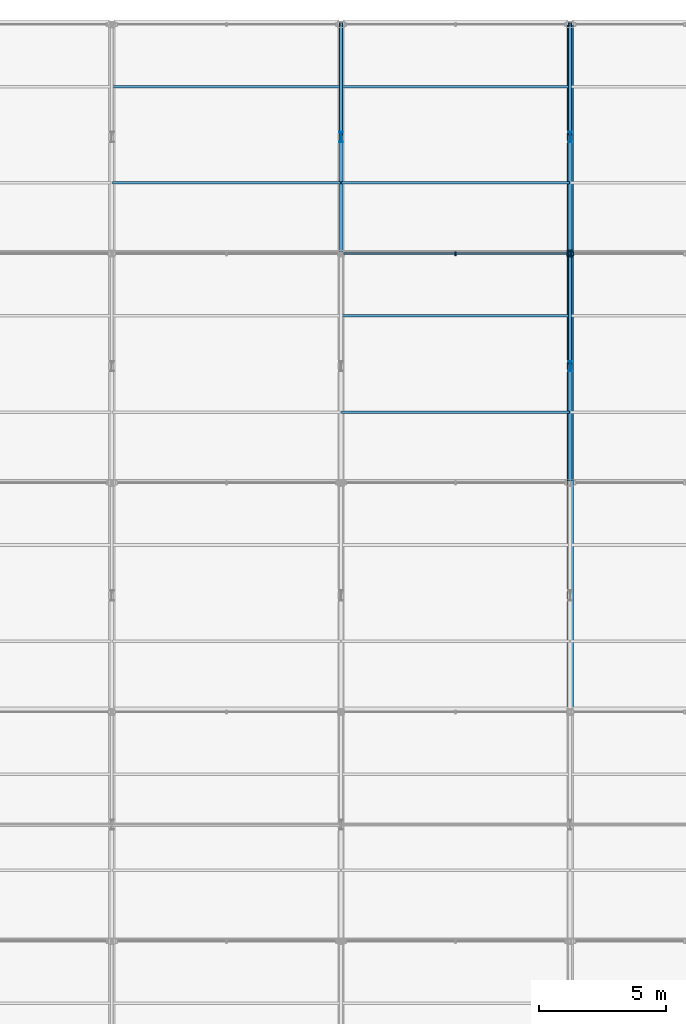
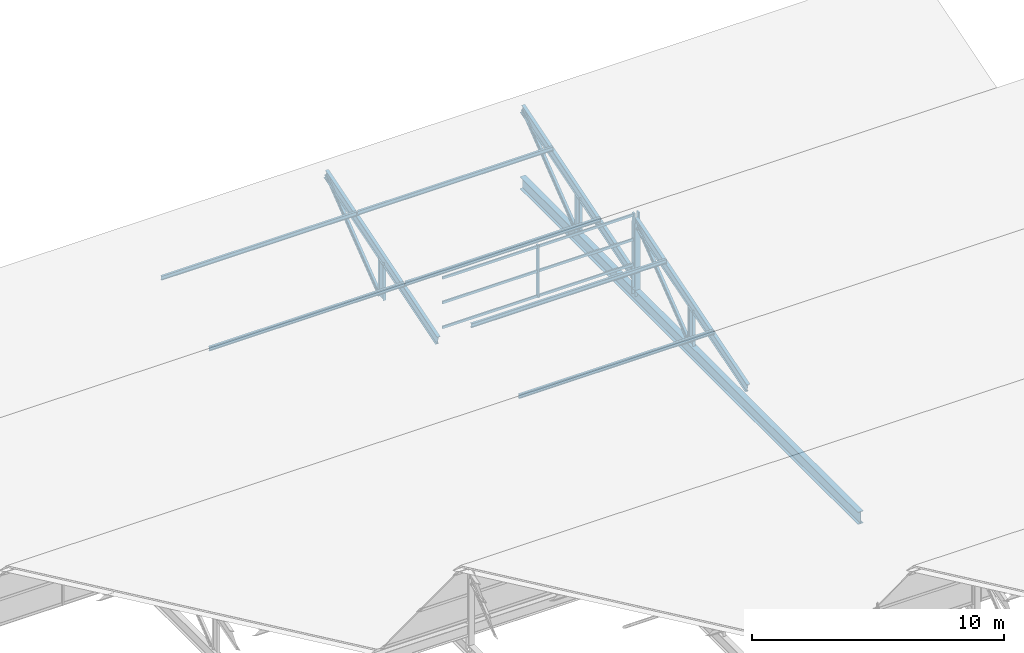
# One storey, part 103 of 163: 25 members, 1 beam, 2 elements without a shape of their own.
"""IFC4 building model written with IfcOpenShell, lengths in metres."""

import ifcopenshell
import ifcopenshell.guid

model = None  # the IFC model being written
_history = None  # IfcOwnerHistory: only IFC2X3 demands one
_inside = {}  # id of a spatial element -> (the spatial element, [elements in it])
_under = {}  # id of a project, library or spatial element -> (it, [spatial elements below it])
_declared = {}  # id of a project -> (the project, [libraries it declares])
_typed = {}  # id of a type object -> (the type object, [elements of that type])
_made_of = {}  # id of a material, layer set ... -> (it, [elements and type objects made of it])


def new_model(schema):
    """Start an empty IFC model of exactly this schema.

    Asked for "IFC4X3", IfcOpenShell would pick the latest addendum, in which some entities
    have other attributes; the version numbers below select the first issue.
    IFC2X3 requires an IfcOwnerHistory on every rooted entity: one is made here for all.
    """
    global model, _history
    if schema == "IFC4X3":
        model = ifcopenshell.file(schema_version=(4, 3, 0, 0))
    else:
        model = ifcopenshell.file(schema=schema)
    _inside.clear()
    _under.clear()
    _declared.clear()
    _typed.clear()
    _made_of.clear()
    _history = None
    if model.schema == "IFC2X3":
        org = make("IfcOrganization", Name="unknown")
        user = make(
            "IfcPersonAndOrganization",
            ThePerson=make("IfcPerson", FamilyName="unknown"),
            TheOrganization=org,
        )
        app = make(
            "IfcApplication",
            ApplicationDeveloper=org,
            Version="unknown",
            ApplicationFullName="unknown",
            ApplicationIdentifier="unknown",
        )
        _history = make(
            "IfcOwnerHistory",
            OwningUser=user,
            OwningApplication=app,
            ChangeAction="ADDED",
            CreationDate=0,
        )
    return model


def make(cls, **values):
    """One entity of the class cls with the attributes given. An attribute that is None is left unset."""
    return model.create_entity(
        cls, **{name: value for name, value in values.items() if value is not None}
    )


def rooted(cls, **values):
    """An entity with a GlobalId (a new one), such as an element, a storey or a relation."""
    return make(cls, GlobalId=ifcopenshell.guid.new(), OwnerHistory=_history, **values)


def si_unit(unit_type, name, prefix=None):
    """IfcSIUnit, for example si_unit("LENGTHUNIT", "METRE", prefix="MILLI")."""
    return make("IfcSIUnit", UnitType=unit_type, Prefix=prefix, Name=name)


def assignment(units):
    """IfcUnitAssignment: the units of a project."""
    return None if units is None else make("IfcUnitAssignment", Units=units)


def point(xyz):
    """IfcCartesianPoint."""
    return None if xyz is None else make("IfcCartesianPoint", Coordinates=xyz)


def direction(xyz):
    """IfcDirection."""
    return None if xyz is None else make("IfcDirection", DirectionRatios=xyz)


def frame(location, z_axis=None, x_axis=None):
    """IfcAxis2Placement3D, a coordinate frame: its origin and axes. An axis left out is left unset."""
    return make(
        "IfcAxis2Placement3D",
        Location=point(location),
        Axis=direction(z_axis),
        RefDirection=direction(x_axis),
    )


def frame_2d(location, x_axis=None):
    """IfcAxis2Placement2D, a coordinate frame in the plane: its origin and x axis."""
    return make(
        "IfcAxis2Placement2D", Location=point(location), RefDirection=direction(x_axis)
    )


def origin():
    """The frame at (0, 0, 0) with its axes left unset."""
    return frame((0.0, 0.0, 0.0))


def origin_2d():
    """The frame at (0, 0) in the plane with its x axis left unset."""
    return frame_2d((0.0, 0.0))


def place(relative_to, where):
    """IfcLocalPlacement: puts the frame where relative to a parent placement (None: the world)."""
    return make(
        "IfcLocalPlacement", PlacementRelTo=relative_to, RelativePlacement=where
    )


def context(
    kind, dimensions, precision=None, world=None, true_north=None, identifier=None
):
    """IfcGeometricRepresentationContext, for example the 3D "Model" context."""
    return make(
        "IfcGeometricRepresentationContext",
        ContextIdentifier=identifier,
        ContextType=kind,
        CoordinateSpaceDimension=dimensions,
        Precision=precision,
        WorldCoordinateSystem=world,
        TrueNorth=true_north,
    )


def subcontext(parent, identifier, kind, view, scale=None):
    """IfcGeometricRepresentationSubContext, for example "Body" below "Model"."""
    return make(
        "IfcGeometricRepresentationSubContext",
        ContextIdentifier=identifier,
        ContextType=kind,
        ParentContext=parent,
        TargetScale=scale,
        TargetView=view,
    )


def project(units=None, contexts=None):
    """IfcProject with its units and contexts."""
    return rooted(
        "IfcProject",
        Name="project",
        RepresentationContexts=contexts,
        UnitsInContext=assignment(units),
    )


def spatial(cls, under=None, at=None, **own):
    """A site, building, storey or space (cls), placed at a placement, below another one or the project."""
    s = rooted(cls, ObjectPlacement=at, **own)
    if under is not None:
        _under.setdefault(under.id(), (under, []))[1].append(s)
    return s


def profile(cls, at=None, kind="AREA", **sizes):
    """A parametric profile (cls). Its sizes go by their IFC names, for example OverallWidth=200.0."""
    return make(cls, ProfileType=kind, Position=at, **sizes)


def rectangle(**sizes):
    """IfcRectangleProfileDef."""
    return profile("IfcRectangleProfileDef", **sizes)


def i_section(**sizes):
    """IfcIShapeProfileDef."""
    return profile("IfcIShapeProfileDef", **sizes)


def extrude(swept, where, along, depth):
    """IfcExtrudedAreaSolid: the profile swept, set in the frame where, extruded along a direction by depth."""
    return make(
        "IfcExtrudedAreaSolid",
        SweptArea=swept,
        Position=where,
        ExtrudedDirection=direction(along),
        Depth=depth,
    )


def shape(context_of_items, identifier, shape_type, items):
    """IfcShapeRepresentation: the items that make up one representation, for example the "Body"."""
    return make(
        "IfcShapeRepresentation",
        ContextOfItems=context_of_items,
        RepresentationIdentifier=identifier,
        RepresentationType=shape_type,
        Items=items,
    )


def material(Name=None, Category=None):
    """IfcMaterial."""
    return make("IfcMaterial", Name=Name, Category=Category)


def material_profile(
    of_material, cross_section, Name=None, Category=None, Priority=None
):
    """IfcMaterialProfile: a cross section and its material."""
    return make(
        "IfcMaterialProfile",
        Name=Name,
        Material=of_material,
        Profile=cross_section,
        Priority=Priority,
        Category=Category,
    )


def profile_set(profiles, Name=None, composite=None):
    """IfcMaterialProfileSet."""
    return make(
        "IfcMaterialProfileSet",
        Name=Name,
        MaterialProfiles=profiles,
        CompositeProfile=composite,
    )


def made_of(thing, what):
    """Note that an element or type object is made of a material, layer set ...; save() writes the relation."""
    if what is not None:
        _made_of.setdefault(what.id(), (what, []))[1].append(thing)
    return thing


def type_object(cls, material=None, **own):
    """A type object (cls), such as IfcWallType, which elements share."""
    return made_of(rooted(cls, **own), material)


def element(
    cls,
    number,
    at=None,
    inside=None,
    cuts=None,
    type_object=None,
    material=None,
    context=None,
    identifier="Body",
    shape_type=None,
    held_by="IfcProductDefinitionShape",
    body=None,
    shapes=None,
    **own,
):
    """One element of the class cls, such as IfcWall. Its Tag is "e" and its number.

    at: its placement. inside: the storey or other place that contains it. cuts: it is an
    opening in that element (IfcRelVoidsElement). A single representation is given by context,
    identifier, shape_type and body (its items); several are given by shapes. held_by: the class
    of the entity that holds the representations. save() writes the other relations.
    """
    e = rooted(cls, Tag="e%d" % number, ObjectPlacement=at, **own)
    if body is not None:
        shapes = [shape(context, identifier, shape_type, body)]
    if shapes is not None:
        e.Representation = make(held_by, Representations=shapes)
    if inside is not None:
        _inside.setdefault(inside.id(), (inside, []))[1].append(e)
    if cuts is not None:
        rooted(
            "IfcRelVoidsElement", RelatingBuildingElement=cuts, RelatedOpeningElement=e
        )
    if type_object is not None:
        _typed.setdefault(type_object.id(), (type_object, []))[1].append(e)
    return made_of(e, material)


def aggregate(whole, parts):
    """IfcRelAggregates: a whole, such as a stair, and the parts it consists of."""
    return rooted("IfcRelAggregates", RelatingObject=whole, RelatedObjects=parts)


def save(model, path):
    """Write the relations noted so far, then the file.

    IfcRelAggregates (storeys below a building ...), IfcRelContainedInSpatialStructure (elements
    in a storey), IfcRelDefinesByType, IfcRelAssociatesMaterial and IfcRelDeclares: one each for
    every whole, place, type object, material and project.
    """
    for whole, parts in _under.values():
        aggregate(whole, parts)
    for where, things in _inside.values():
        rooted(
            "IfcRelContainedInSpatialStructure",
            RelatedElements=things,
            RelatingStructure=where,
        )
    for kind, things in _typed.values():
        rooted("IfcRelDefinesByType", RelatedObjects=things, RelatingType=kind)
    for what, things in _made_of.values():
        rooted("IfcRelAssociatesMaterial", RelatedObjects=things, RelatingMaterial=what)
    for by, libraries in _declared.values():
        rooted("IfcRelDeclares", RelatingContext=by, RelatedDefinitions=libraries)
    model.write(path)


model = new_model("IFC4")

# Units and contexts
model_context = context("Model", 3, precision=1e-05, world=origin(), true_north=direction((0.0, 1.0)))
body_context = subcontext(model_context, "Body", "Model", "MODEL_VIEW")
ifc_project = project(units=[si_unit("LENGTHUNIT", "METRE"), si_unit("AREAUNIT", "SQUARE_METRE"), si_unit("VOLUMEUNIT", "CUBIC_METRE"), si_unit("PLANEANGLEUNIT", "RADIAN"), si_unit("MASSUNIT", "GRAM", prefix="KILO")], contexts=[model_context])

# Site, building, storey
site_placement = place(None, origin())
site = spatial("IfcSite", under=ifc_project, at=site_placement, CompositionType="ELEMENT")
building_placement = place(site_placement, origin())
building = spatial("IfcBuilding", under=site, at=building_placement, Name="Tharagai Park Tramway Depot", CompositionType="ELEMENT")
storey_placement = place(building_placement, frame((0.0, 0.0, 8.39990234375)))
storey = spatial("IfcBuildingStorey", under=building, at=storey_placement, Name="L02", CompositionType="ELEMENT", Elevation=8.39990234375)

# Beam
ifc_material_1 = material(Name="Steel E350", Category="steel")
ifc_material_profile_1 = material_profile(ifc_material_1, i_section(OverallWidth=0.25, OverallDepth=0.60009765625, WebThickness=0.01171875, FlangeThickness=0.023681640625, FilletRadius=0.01708984375, at=origin_2d()), Name="ISWB 600")
ifc_profile_set_1 = profile_set([ifc_material_profile_1], Name="Steel E350")
beam_type = type_object("IfcBeamType", Name="BM-01", PredefinedType="BEAM", material=ifc_profile_set_1)
beam_placement = place(storey_placement, frame((126.0, 117.080078125, -0.25), z_axis=(0.0, 1.0, 0.0), x_axis=(-1.0, 0.0, 0.0)))
element("IfcBeam", 1, at=beam_placement, inside=storey, type_object=beam_type, Name="Sawtooth Truss Bottom Tie Girder BM-01", PredefinedType="BEAM", context=body_context, shape_type="SweptSolid", body=[
    extrude(i_section(OverallWidth=0.25, OverallDepth=0.60009765625, WebThickness=0.01171875, FlangeThickness=0.023681640625, FilletRadius=0.01708984375, at=origin_2d()), origin(), (0.0, 0.0, 1.0), 26.83984375),
])

# Members
ifc_material_profile_2 = material_profile(ifc_material_1, i_section(OverallWidth=0.25, OverallDepth=0.25, WebThickness=0.0087890625, FlangeThickness=0.009765625, FilletRadius=0.010009765625, at=origin_2d()), Name="ISHB 250")
ifc_profile_set_2 = profile_set([ifc_material_profile_2], Name="Steel E350")
member_type_1 = type_object("IfcMemberType", Name="BR-01", PredefinedType="BRACE", material=ifc_profile_set_2)
member_1_placement = place(storey_placement, frame((126.0, 134.919921875, -0.25), z_axis=(0.0, 0.0, 1.0), x_axis=(1.0, 0.0, 0.0)))
element("IfcMember", 2, at=member_1_placement, inside=storey, type_object=member_type_1, Name="Sawtooth North Vertical Post BR-01", PredefinedType="BRACE", context=body_context, shape_type="SweptSolid", body=[
    extrude(i_section(OverallWidth=0.25, OverallDepth=0.25, WebThickness=0.0087890625, FlangeThickness=0.009765625, FilletRadius=0.010009765625, at=origin_2d()), origin(), (0.0, 0.0, 1.0), 3.55517578125),
])
ifc_material_profile_3 = material_profile(ifc_material_1, i_section(OverallWidth=0.110107421875, OverallDepth=0.22509765625, WebThickness=0.006591796875, FlangeThickness=0.01171875, FilletRadius=0.011962890625, at=origin_2d()), Name="ISMB 225")
ifc_profile_set_3 = profile_set([ifc_material_profile_3], Name="Steel E350")
member_type_2 = type_object("IfcMemberType", Name="BR-04", PredefinedType="BRACE", material=ifc_profile_set_3)
for number, where, z_axis, x_axis, name in (
    (3, (117.0, 139.64990234375, 0.0), (0.0, 0.790781596, 0.612098413188), (-1.0, 0.0, 0.0), "Sawtooth Truss Web Diagonal BR-04"),
    (4, (126.0, 130.64990234375, 0.0), (0.0, 0.790781596, 0.612098413188), (-1.0, 0.0, 0.0), "Sawtooth Truss Web Diagonal BR-04"),
    (5, (126.0, 139.64990234375, 0.0), (0.0, 0.790781596, 0.612098413188), (-1.0, 0.0, 0.0), "Sawtooth Truss Web Diagonal BR-04"),
):
    element("IfcMember", number, at=place(storey_placement, frame(where, z_axis=z_axis, x_axis=x_axis)), inside=storey, type_object=member_type_2, Name=name, PredefinedType="BRACE", context=body_context, shape_type="SweptSolid", body=[
        extrude(i_section(OverallWidth=0.110107421875, OverallDepth=0.22509765625, WebThickness=0.006591796875, FlangeThickness=0.01171875, FilletRadius=0.011962890625, at=origin_2d()), origin(), (0.0, 0.0, 1.0), 5.399658203125),
    ])

# Curtain wall, members
ifc_material_2 = material(Name="Anodised aluminium", Category="aluminium")
curtain_wall_type = type_object("IfcCurtainWallType", Name="CW-04", PredefinedType="NOTDEFINED", material=ifc_material_2)
curtain_wall_1_placement = place(storey_placement, origin())
curtain_wall_1 = element("IfcCurtainWall", 6, at=curtain_wall_1_placement, inside=storey, type_object=curtain_wall_type, Name="Sawtooth North-Light Clerestory CW-04", PredefinedType="NOTDEFINED")
ifc_material_profile_4 = material_profile(ifc_material_2, rectangle(XDim=0.06494140625, YDim=0.1201171875, at=origin_2d()), Name="ALU 65x120")
ifc_profile_set_4 = profile_set([ifc_material_profile_4], Name="Anodised aluminium")
member_type_3 = type_object("IfcMemberType", Name="CM-01", PredefinedType="USERDEFINED", material=ifc_profile_set_4)
member_2_placement = place(storey_placement, frame((117.114990234375, 134.919921875, 1.26513671875), z_axis=(1.0, 0.0, 0.0), x_axis=(0.0, 1.0, 0.0)))
member_2 = element("IfcMember", 7, at=member_2_placement, type_object=member_type_3, Name="Sawtooth North-Light Clerestory Transom 1.1", ObjectType="TRANSOM", PredefinedType="USERDEFINED", context=body_context, shape_type="SweptSolid", body=[
    extrude(rectangle(XDim=0.06494140625, YDim=0.1201171875, at=origin_2d()), origin(), (0.0, 0.0, 1.0), 4.3701171875),
])
member_3_placement = place(storey_placement, frame((117.114990234375, 134.919921875, 2.4736328125), z_axis=(1.0, 0.0, 0.0), x_axis=(0.0, 1.0, 0.0)))
member_3 = element("IfcMember", 8, at=member_3_placement, type_object=member_type_3, Name="Sawtooth North-Light Clerestory Transom 1.2", ObjectType="TRANSOM", PredefinedType="USERDEFINED", context=body_context, shape_type="SweptSolid", body=[
    extrude(rectangle(XDim=0.06494140625, YDim=0.1201171875, at=origin_2d()), origin(), (0.0, 0.0, 1.0), 4.3701171875),
])
member_4_placement = place(storey_placement, frame((117.114990234375, 134.919921875, 3.662353515625), z_axis=(1.0, 0.0, 0.0), x_axis=(0.0, 1.0, 0.0)))
member_4 = element("IfcMember", 9, at=member_4_placement, type_object=member_type_3, Name="Sawtooth North-Light Clerestory Transom 1.3", ObjectType="TRANSOM", PredefinedType="USERDEFINED", context=body_context, shape_type="SweptSolid", body=[
    extrude(rectangle(XDim=0.06494140625, YDim=0.1201171875, at=origin_2d()), origin(), (0.0, 0.0, 1.0), 4.3701171875),
])
member_5_placement = place(storey_placement, frame((121.514892578125, 134.919921875, 1.26513671875), z_axis=(1.0, 0.0, 0.0), x_axis=(0.0, 1.0, 0.0)))
member_5 = element("IfcMember", 10, at=member_5_placement, type_object=member_type_3, Name="Sawtooth North-Light Clerestory Transom 2.1", ObjectType="TRANSOM", PredefinedType="USERDEFINED", context=body_context, shape_type="SweptSolid", body=[
    extrude(rectangle(XDim=0.06494140625, YDim=0.1201171875, at=origin_2d()), origin(), (0.0, 0.0, 1.0), 4.3701171875),
])
member_6_placement = place(storey_placement, frame((121.514892578125, 134.919921875, 2.4736328125), z_axis=(1.0, 0.0, 0.0), x_axis=(0.0, 1.0, 0.0)))
member_6 = element("IfcMember", 11, at=member_6_placement, type_object=member_type_3, Name="Sawtooth North-Light Clerestory Transom 2.2", ObjectType="TRANSOM", PredefinedType="USERDEFINED", context=body_context, shape_type="SweptSolid", body=[
    extrude(rectangle(XDim=0.06494140625, YDim=0.1201171875, at=origin_2d()), origin(), (0.0, 0.0, 1.0), 4.3701171875),
])
member_7_placement = place(storey_placement, frame((121.514892578125, 134.919921875, 3.662353515625), z_axis=(1.0, 0.0, 0.0), x_axis=(0.0, 1.0, 0.0)))
member_7 = element("IfcMember", 12, at=member_7_placement, type_object=member_type_3, Name="Sawtooth North-Light Clerestory Transom 2.3", ObjectType="TRANSOM", PredefinedType="USERDEFINED", context=body_context, shape_type="SweptSolid", body=[
    extrude(rectangle(XDim=0.06494140625, YDim=0.1201171875, at=origin_2d()), origin(), (0.0, 0.0, 1.0), 4.3701171875),
])
ifc_material_profile_5 = material_profile(ifc_material_2, rectangle(XDim=0.06494140625, YDim=0.14990234375, at=origin_2d()), Name="ALU 65x150")
ifc_profile_set_5 = profile_set([ifc_material_profile_5], Name="Anodised aluminium")
member_type_4 = type_object("IfcMemberType", Name="CM-03", PredefinedType="MULLION", material=ifc_profile_set_5)
member_8_placement = place(storey_placement, frame((121.5, 134.919921875, 1.2001953125), z_axis=(0.0, 0.0, 1.0), x_axis=(1.0, 0.0, 0.0)))
member_8 = element("IfcMember", 13, at=member_8_placement, type_object=member_type_4, Name="Sawtooth North-Light Clerestory Mullion 2", PredefinedType="MULLION", context=body_context, shape_type="SweptSolid", body=[
    extrude(rectangle(XDim=0.06494140625, YDim=0.14990234375, at=origin_2d()), origin(), (0.0, 0.0, 1.0), 2.547119140625),
])
member_9_placement = place(storey_placement, frame((125.89990234375, 134.919921875, 1.2001953125), z_axis=(0.0, 0.0, 1.0), x_axis=(1.0, 0.0, 0.0)))
member_9 = element("IfcMember", 14, at=member_9_placement, type_object=member_type_4, Name="Sawtooth North-Light Clerestory Mullion 3", PredefinedType="MULLION", context=body_context, shape_type="SweptSolid", body=[
    extrude(rectangle(XDim=0.06494140625, YDim=0.14990234375, at=origin_2d()), origin(), (0.0, 0.0, 1.0), 2.547119140625),
])
aggregate(curtain_wall_1, [member_8, member_9, member_2, member_3, member_4, member_5, member_6, member_7])

# Curtain wall, member
curtain_wall_2_placement = place(storey_placement, origin())
curtain_wall_2 = element("IfcCurtainWall", 15, at=curtain_wall_2_placement, inside=storey, type_object=curtain_wall_type, Name="Sawtooth North-Light Clerestory CW-04", PredefinedType="NOTDEFINED")
member_10_placement = place(storey_placement, frame((126.10009765625, 134.919921875, 1.2001953125), z_axis=(0.0, 0.0, 1.0), x_axis=(1.0, 0.0, 0.0)))
member_10 = element("IfcMember", 16, at=member_10_placement, type_object=member_type_4, Name="Sawtooth North-Light Clerestory Mullion 1", PredefinedType="MULLION", context=body_context, shape_type="SweptSolid", body=[
    extrude(rectangle(XDim=0.06494140625, YDim=0.14990234375, at=origin_2d()), origin(), (0.0, 0.0, 1.0), 2.547119140625),
])
aggregate(curtain_wall_2, [member_10])

# Members
ifc_material_3 = material(Name="Steel E250", Category="steel")
ifc_material_profile_6 = material_profile(ifc_material_3, i_section(OverallWidth=0.10009765625, OverallDepth=0.199951171875, WebThickness=0.00537109375, FlangeThickness=0.00732421875, FilletRadius=0.009033203125, at=origin_2d()), Name="ISLB 200")
ifc_profile_set_6 = profile_set([ifc_material_profile_6], Name="Steel E250")
member_type_5 = type_object("IfcMemberType", Name="PR-03", PredefinedType="PURLIN", material=ifc_profile_set_6)
for number, where, z_axis, x_axis, name in (
    (17, (108.02001953125, 137.699951171875, 1.733154296875), (1.0, 0.0, 0.0), (0.0, 1.0, 0.0), "Sawtooth Roof Purlin PR-03"),
    (18, (108.02001953125, 141.47998046875, 2.87451171875), (1.0, 0.0, 0.0), (0.0, 1.0, 0.0), "Sawtooth Roof Purlin PR-03"),
    (19, (117.02001953125, 137.699951171875, 1.733154296875), (1.0, 0.0, 0.0), (0.0, 1.0, 0.0), "Sawtooth Roof Purlin PR-03"),
    (20, (117.02001953125, 141.47998046875, 2.87451171875), (1.0, 0.0, 0.0), (0.0, 1.0, 0.0), "Sawtooth Roof Purlin PR-03"),
):
    element("IfcMember", number, at=place(storey_placement, frame(where, z_axis=z_axis, x_axis=x_axis)), inside=storey, type_object=member_type_5, Name=name, PredefinedType="PURLIN", context=body_context, shape_type="SweptSolid", body=[
        extrude(i_section(OverallWidth=0.10009765625, OverallDepth=0.199951171875, WebThickness=0.00537109375, FlangeThickness=0.00732421875, FilletRadius=0.009033203125, at=origin_2d()), origin(), (0.0, 0.0, 1.0), 8.9599609375),
    ])
ifc_material_profile_7 = material_profile(ifc_material_3, i_section(OverallWidth=0.10009765625, OverallDepth=0.199951171875, WebThickness=0.005615234375, FlangeThickness=0.0107421875, FilletRadius=0.010986328125, at=origin_2d()), Name="ISMB 200")
ifc_profile_set_7 = profile_set([ifc_material_profile_7], Name="Steel E250")
member_type_6 = type_object("IfcMemberType", Name="PR-04", PredefinedType="PURLIN", material=ifc_profile_set_7)
for number, where, z_axis, x_axis, name in (
    (21, (117.02001953125, 128.699951171875, 1.733154296875), (1.0, 0.0, 0.0), (0.0, 1.0, 0.0), "Sawtooth Roof Purlin PR-04"),
    (22, (117.02001953125, 132.47998046875, 2.87451171875), (1.0, 0.0, 0.0), (0.0, 1.0, 0.0), "Sawtooth Roof Purlin PR-04"),
):
    element("IfcMember", number, at=place(storey_placement, frame(where, z_axis=z_axis, x_axis=x_axis)), inside=storey, type_object=member_type_6, Name=name, PredefinedType="PURLIN", context=body_context, shape_type="SweptSolid", body=[
        extrude(i_section(OverallWidth=0.10009765625, OverallDepth=0.199951171875, WebThickness=0.005615234375, FlangeThickness=0.0107421875, FilletRadius=0.010986328125, at=origin_2d()), origin(), (0.0, 0.0, 1.0), 8.9599609375),
    ])
ifc_material_profile_8 = material_profile(ifc_material_1, i_section(OverallWidth=0.14990234375, OverallDepth=0.449951171875, WebThickness=0.009521484375, FlangeThickness=0.017333984375, FilletRadius=0.014892578125, at=origin_2d()), Name="ISMB 450")
ifc_profile_set_8 = profile_set([ifc_material_profile_8], Name="Steel E350")
member_type_7 = type_object("IfcMemberType", Name="TC-05", PredefinedType="CHORD", material=ifc_profile_set_8)
for number, where, z_axis, x_axis, name in (
    (23, (117.0, 135.06005859375, 0.587890625), (0.0, 0.956231486327, 0.29261125159), (-1.0, 0.0, 0.0), "Sawtooth Top Chord TC-05"),
    (24, (126.0, 126.06005859375, 0.587890625), (0.0, 0.956231486327, 0.29261125159), (-1.0, 0.0, 0.0), "Sawtooth Top Chord TC-05"),
    (25, (126.0, 135.06005859375, 0.587890625), (0.0, 0.956231486327, 0.29261125159), (-1.0, 0.0, 0.0), "Sawtooth Top Chord TC-05"),
):
    element("IfcMember", number, at=place(storey_placement, frame(where, z_axis=z_axis, x_axis=x_axis)), inside=storey, type_object=member_type_7, Name=name, PredefinedType="CHORD", context=body_context, shape_type="SweptSolid", body=[
        extrude(i_section(OverallWidth=0.14990234375, OverallDepth=0.449951171875, WebThickness=0.009521484375, FlangeThickness=0.017333984375, FilletRadius=0.014892578125, at=origin_2d()), origin(), (0.0, 0.0, 1.0), 9.286376953125),
    ])
ifc_material_profile_9 = material_profile(ifc_material_1, i_section(OverallWidth=0.139892578125, OverallDepth=0.39990234375, WebThickness=0.0087890625, FlangeThickness=0.01611328125, FilletRadius=0.013916015625, at=origin_2d()), Name="ISMB 400")
ifc_profile_set_9 = profile_set([ifc_material_profile_9], Name="Steel E350")
member_type_8 = type_object("IfcMemberType", Name="TC-06", PredefinedType="CHORD", material=ifc_profile_set_9)
for number, where, z_axis, x_axis, name in (
    (26, (117.0, 139.5, -0.0498046875), (0.0, 0.0, 1.0), (1.0, 0.0, 0.0), "Sawtooth Mid-Tooth Strut TC-06"),
    (27, (126.0, 130.5, -0.0498046875), (0.0, 0.0, 1.0), (1.0, 0.0, 0.0), "Sawtooth Mid-Tooth Strut TC-06"),
    (28, (126.0, 139.5, -0.0498046875), (0.0, 0.0, 1.0), (1.0, 0.0, 0.0), "Sawtooth Mid-Tooth Strut TC-06"),
):
    element("IfcMember", number, at=place(storey_placement, frame(where, z_axis=z_axis, x_axis=x_axis)), inside=storey, type_object=member_type_8, Name=name, PredefinedType="CHORD", context=body_context, shape_type="SweptSolid", body=[
        extrude(i_section(OverallWidth=0.139892578125, OverallDepth=0.39990234375, WebThickness=0.0087890625, FlangeThickness=0.01611328125, FilletRadius=0.013916015625, at=origin_2d()), origin(), (0.0, 0.0, 1.0), 1.846435546875),
    ])

save(model, "model.ifc")
